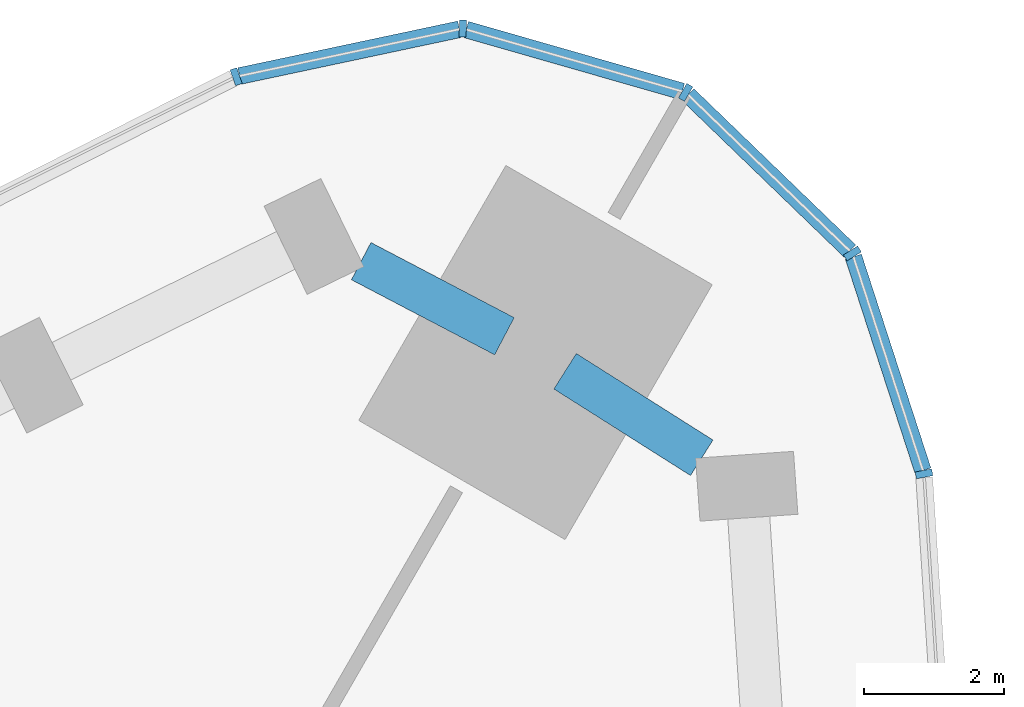
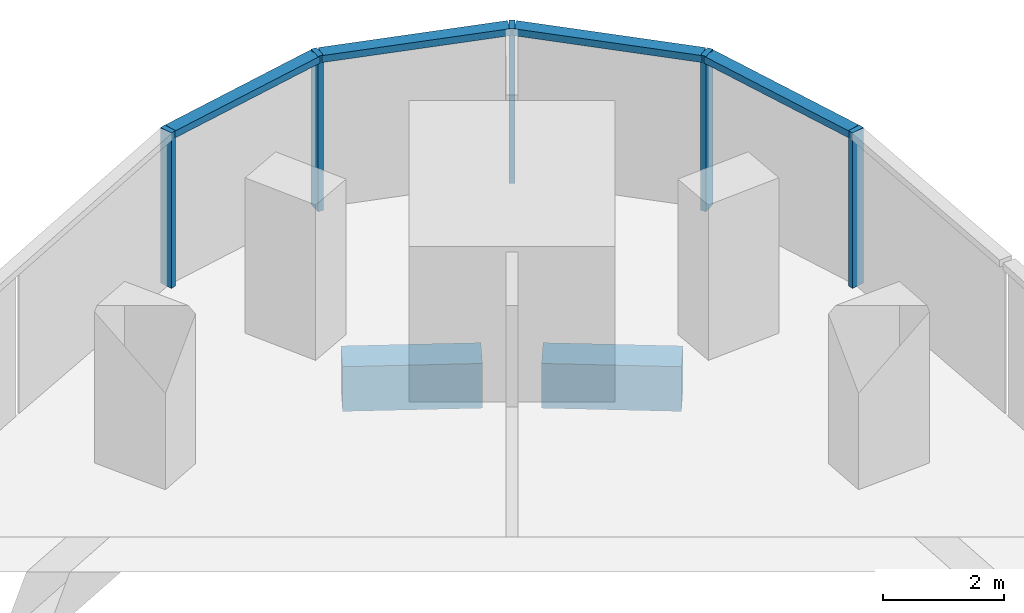
# One storey, part 6 of 13: 9 members, 2 beams, 2 elements without a shape of their own.
"""IFC4 building model written with IfcOpenShell, lengths in metres."""

from ifc_helpers import new_model, si_unit, direction, frame, origin, origin_2d, place, context, subcontext, project, spatial, rectangle, extrude, material, material_profile, profile_set, type_object, element, aggregate, save


model = new_model("IFC4")

# Units and contexts
model_context = context("Model", 3, precision=1e-05, world=origin(), true_north=direction((0.0, 1.0)))
body_context = subcontext(model_context, "Body", "Model", "MODEL_VIEW")
ifc_project = project(units=[si_unit("LENGTHUNIT", "METRE"), si_unit("AREAUNIT", "SQUARE_METRE"), si_unit("VOLUMEUNIT", "CUBIC_METRE"), si_unit("PLANEANGLEUNIT", "RADIAN"), si_unit("MASSUNIT", "GRAM", prefix="KILO")], contexts=[model_context])

# Site, building, storey
site_placement = place(None, origin())
site = spatial("IfcSite", under=ifc_project, at=site_placement, CompositionType="ELEMENT")
building_placement = place(site_placement, origin())
building = spatial("IfcBuilding", under=site, at=building_placement, Name="Tamra Quay Hotel Tower", CompositionType="ELEMENT")
storey_placement = place(building_placement, frame((0.0, 0.0, 49.39990234375)))
storey = spatial("IfcBuildingStorey", under=building, at=storey_placement, Name="L10", CompositionType="ELEMENT", Elevation=49.39990234375)

# Curtain wall, members
ifc_material_1 = material(Name="Aluminium 6063 anodised dark grey", Category="aluminium")
curtain_wall_type_1 = type_object("IfcCurtainWallType", Name="CW1 CURTAIN WALL", PredefinedType="NOTDEFINED", material=ifc_material_1)
curtain_wall_1_placement = place(storey_placement, origin())
curtain_wall_1 = element("IfcCurtainWall", 1, at=curtain_wall_1_placement, inside=storey, type_object=curtain_wall_type_1, Name="CW1 east face L10", PredefinedType="NOTDEFINED")
ifc_material_profile_1 = material_profile(ifc_material_1, rectangle(XDim=0.239990234375, YDim=0.10009765625, at=origin_2d()), Name="MULLION 100X240")
ifc_profile_set_1 = profile_set([ifc_material_profile_1], Name="Aluminium 6063 anodised dark grey")
member_type_1 = type_object("IfcMemberType", Name="MULLION CW1 Z1", PredefinedType="MULLION", material=ifc_profile_set_1)
member_1_placement = place(storey_placement, frame((23.40869140625, 29.2109375, 0.0), z_axis=(0.0, 0.0, 1.0), x_axis=(0.982094529733, 0.188388785943, 0.0)))
member_1 = element("IfcMember", 2, at=member_1_placement, type_object=member_type_1, Name="CW1 mullion L10.E.14", PredefinedType="MULLION", context=body_context, shape_type="SweptSolid", body=[
    extrude(rectangle(XDim=0.239990234375, YDim=0.10009765625, at=origin_2d()), origin(), (0.0, 0.0, 1.0), 3.125),
])
member_2_placement = place(storey_placement, frame((22.386474609375, 32.356201171875, 0.0), z_axis=(0.0, 0.0, 1.0), x_axis=(0.848039345356, 0.529933268183, 0.0)))
member_2 = element("IfcMember", 3, at=member_2_placement, type_object=member_type_1, Name="CW1 mullion L10.E.15", PredefinedType="MULLION", context=body_context, shape_type="SweptSolid", body=[
    extrude(rectangle(XDim=0.239990234375, YDim=0.10009765625, at=origin_2d()), origin(), (0.0, 0.0, 1.0), 3.125),
])
member_3_placement = place(storey_placement, frame((20.00732421875, 34.65380859375, 0.0), z_axis=(0.0, 0.0, 1.0), x_axis=(0.5, 0.866025403784, 0.0)))
member_3 = element("IfcMember", 4, at=member_3_placement, type_object=member_type_1, Name="CW1 mullion L10.E.16", PredefinedType="MULLION", context=body_context, shape_type="SweptSolid", body=[
    extrude(rectangle(XDim=0.239990234375, YDim=0.10009765625, at=origin_2d()), origin(), (0.0, 0.0, 1.0), 3.125),
])
member_4_placement = place(storey_placement, frame((16.828125, 35.5654296875, 0.0), z_axis=(0.0, 0.0, 1.0), x_axis=(0.034915999879, 0.999390250579, 0.0)))
member_4 = element("IfcMember", 5, at=member_4_placement, type_object=member_type_1, Name="CW1 mullion L10.E.17", PredefinedType="MULLION", context=body_context, shape_type="SweptSolid", body=[
    extrude(rectangle(XDim=0.239990234375, YDim=0.10009765625, at=origin_2d()), origin(), (0.0, 0.0, 1.0), 3.125),
])

# Curtain wall, member
curtain_wall_type_2 = type_object("IfcCurtainWallType", Name="CW2 CURTAIN WALL", PredefinedType="NOTDEFINED", material=ifc_material_1)
curtain_wall_2_placement = place(storey_placement, origin())
curtain_wall_2 = element("IfcCurtainWall", 6, at=curtain_wall_2_placement, inside=storey, type_object=curtain_wall_type_2, Name="CW2 north-west face L10", PredefinedType="NOTDEFINED")
ifc_material_profile_2 = material_profile(ifc_material_1, rectangle(XDim=0.239990234375, YDim=0.10009765625, at=origin_2d()), Name="MULLION 100X240")
ifc_profile_set_2 = profile_set([ifc_material_profile_2], Name="Aluminium 6063 anodised dark grey")
member_type_2 = type_object("IfcMemberType", Name="MULLION CW2 Z1", PredefinedType="MULLION", material=ifc_profile_set_2)
member_5_placement = place(storey_placement, frame((13.593017578125, 34.8779296875, 0.0), z_axis=(0.0, 0.0, 1.0), x_axis=(-0.327897790452, 0.944713204638, 0.0)))
member_5 = element("IfcMember", 7, at=member_5_placement, type_object=member_type_2, Name="CW2 mullion L10.NW.1", PredefinedType="MULLION", context=body_context, shape_type="SweptSolid", body=[
    extrude(rectangle(XDim=0.239990234375, YDim=0.10009765625, at=origin_2d()), origin(), (0.0, 0.0, 1.0), 3.125),
])
aggregate(curtain_wall_2, [member_5])

# Beams
ifc_material_2 = material(Name="Concrete M60", Category="concrete")
ifc_material_profile_3 = material_profile(ifc_material_2, rectangle(XDim=0.60009765625, YDim=0.89990234375, at=origin_2d()), Name="SPANDREL BEAM RC 600x900")
ifc_profile_set_3 = profile_set([ifc_material_profile_3], Name="Concrete M60")
beam_type = type_object("IfcBeamType", Name="SPANDREL BEAM RC 600x900", PredefinedType="SPANDREL", material=ifc_profile_set_3)
beam_1_placement = place(storey_placement, frame((20.2373046875, 29.440185546875, -0.9248046875), z_axis=(-0.844978382684, 0.53480046073, 0.0), x_axis=(-0.53480046073, -0.844978382684, 0.0)))
element("IfcBeam", 8, at=beam_1_placement, inside=storey, type_object=beam_type, Name="BM-SP1-013-L10", PredefinedType="SPANDREL", context=body_context, shape_type="SweptSolid", body=[
    extrude(rectangle(XDim=0.60009765625, YDim=0.89990234375, at=origin_2d()), origin(), (0.0, 0.0, 1.0), 2.30859375),
])
beam_2_placement = place(storey_placement, frame((17.421630859375, 31.17431640625, -0.9248046875), z_axis=(-0.885674154565, 0.464307324879, 0.0), x_axis=(-0.464307324879, -0.885674154565, 0.0)))
element("IfcBeam", 9, at=beam_2_placement, inside=storey, type_object=beam_type, Name="BM-SP1-014-L10", PredefinedType="SPANDREL", context=body_context, shape_type="SweptSolid", body=[
    extrude(rectangle(XDim=0.60009765625, YDim=0.89990234375, at=origin_2d()), origin(), (0.0, 0.0, 1.0), 2.308349609375),
])

# Member
ifc_material_profile_4 = material_profile(ifc_material_1, rectangle(XDim=0.239990234375, YDim=0.139892578125, at=origin_2d()), Name="TRANSOM 240X140")
ifc_profile_set_4 = profile_set([ifc_material_profile_4], Name="Aluminium 6063 anodised dark grey")
member_type_3 = type_object("IfcMemberType", Name="TRANSOM CW1 Z1", PredefinedType="USERDEFINED", material=ifc_profile_set_4)
member_6_placement = place(storey_placement, frame((23.39306640625, 29.25830078125, 3.05517578125), z_axis=(-0.309025833938, 0.951053644102, 0.0), x_axis=(-0.951053644102, -0.309025833938, 0.0)))
member_6 = element("IfcMember", 10, at=member_6_placement, type_object=member_type_3, Name="CW1 transom L10.E.14", ObjectType="TRANSOM", PredefinedType="USERDEFINED", context=body_context, shape_type="SweptSolid", body=[
    extrude(rectangle(XDim=0.239990234375, YDim=0.139892578125, at=origin_2d()), origin(), (0.0, 0.0, 1.0), 3.20751953125),
])

member_7_placement = place(storey_placement, frame((22.3505859375, 32.39111328125, 3.05517578125), z_axis=(-0.719405395398, 0.694590438367, 0.0), x_axis=(-0.694590438367, -0.719405395398, 0.0)))
member_7 = element("IfcMember", 11, at=member_7_placement, type_object=member_type_3, Name="CW1 transom L10.E.15", ObjectType="TRANSOM", PredefinedType="USERDEFINED", context=body_context, shape_type="SweptSolid", body=[
    extrude(rectangle(XDim=0.239990234375, YDim=0.139892578125, at=origin_2d()), origin(), (0.0, 0.0, 1.0), 3.207275390625),
])

member_8_placement = place(storey_placement, frame((19.959228515625, 34.66748046875, 3.05517578125), z_axis=(-0.961262114071, 0.275635897612, 0.0), x_axis=(-0.275635897612, -0.961262114071, 0.0)))
member_8 = element("IfcMember", 12, at=member_8_placement, type_object=member_type_3, Name="CW1 transom L10.E.16", ObjectType="TRANSOM", PredefinedType="USERDEFINED", context=body_context, shape_type="SweptSolid", body=[
    extrude(rectangle(XDim=0.239990234375, YDim=0.139892578125, at=origin_2d()), origin(), (0.0, 0.0, 1.0), 3.207275390625),
])

member_9_placement = place(storey_placement, frame((16.779296875, 35.554931640625, 3.05517578125), z_axis=(-0.978156336052, -0.20787059013, 0.0), x_axis=(0.20787059013, -0.978156336052, 0.0)))
member_9 = element("IfcMember", 13, at=member_9_placement, type_object=member_type_3, Name="CW1 transom L10.E.17", ObjectType="TRANSOM", PredefinedType="USERDEFINED", context=body_context, shape_type="SweptSolid", body=[
    extrude(rectangle(XDim=0.239990234375, YDim=0.139892578125, at=origin_2d()), origin(), (0.0, 0.0, 1.0), 3.20751953125),
])

aggregate(curtain_wall_1, [member_1, member_6, member_2, member_7, member_3, member_8, member_4, member_9])

save(model, "model.ifc")
